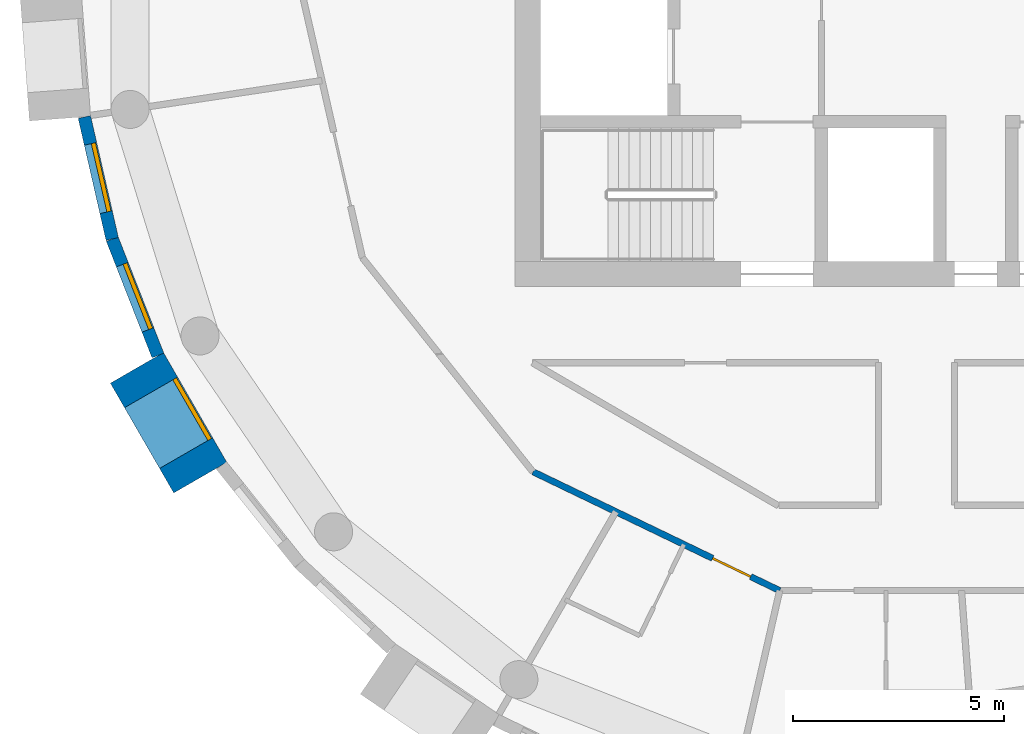
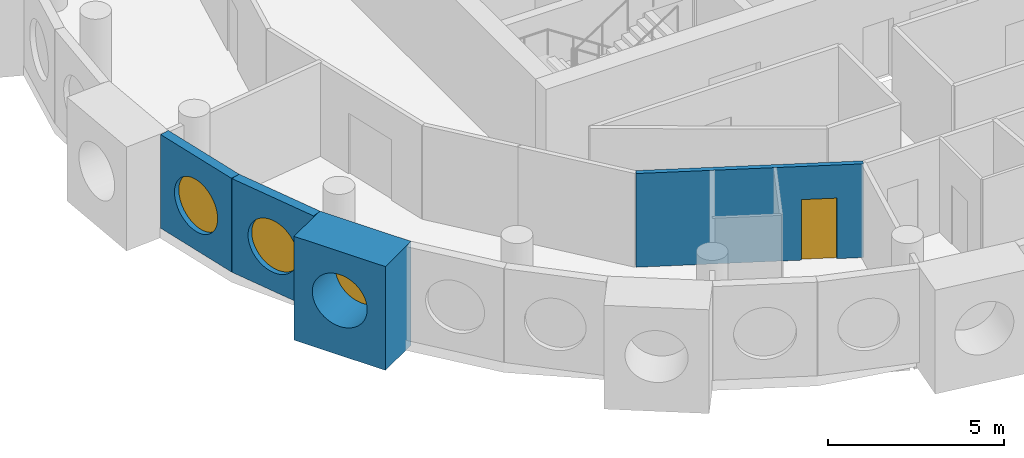
# One storey, part 2 of 13: 4 walls, 3 windows, 1 door, 4 openings.
"""IFC4 building model written with IfcOpenShell, lengths in metres."""

from ifc_helpers import new_model, si_unit, direction, frame, frame_2d, origin, origin_2d, place, context, subcontext, project, spatial, rectangle, circle, extrude, material, layer, layer_set, type_object, element, fill, save


model = new_model("IFC4")

# Units and contexts
model_context = context("Model", 3, precision=1e-05, world=origin(), true_north=direction((0.0, 1.0)))
body_context = subcontext(model_context, "Body", "Model", "MODEL_VIEW")
ifc_project = project(units=[si_unit("LENGTHUNIT", "METRE"), si_unit("AREAUNIT", "SQUARE_METRE"), si_unit("VOLUMEUNIT", "CUBIC_METRE"), si_unit("PLANEANGLEUNIT", "RADIAN"), si_unit("MASSUNIT", "GRAM", prefix="KILO")], contexts=[model_context])

# Site, building, storey
site_placement = place(None, origin())
site = spatial("IfcSite", under=ifc_project, at=site_placement, CompositionType="ELEMENT")
building_placement = place(site_placement, origin())
building = spatial("IfcBuilding", under=site, at=building_placement, Name="Tracery Tower", CompositionType="ELEMENT")
storey_placement = place(building_placement, frame((0.0, 0.0, 316.199951171875)))
storey = spatial("IfcBuildingStorey", under=building, at=storey_placement, Name="L82", CompositionType="ELEMENT", Elevation=316.199951171875)

# Wall, opening, window
ifc_material_1 = material(Name="Precast concrete C50/60", Category="concrete")
ifc_layer_1 = layer(ifc_material_1, 1.449951171875)
ifc_layer_set_1 = layer_set([ifc_layer_1], Name="Deep-set bay unit 3000 x 3600, slab edge 350")
wall_type_1 = type_object("IfcWallType", Name="Deep-set bay unit 3000 x 3600, slab edge 350", PredefinedType="ELEMENTEDWALL", material=ifc_layer_set_1)
wall_1_placement = place(storey_placement, frame((-18.452392578125, -8.92138671875, -0.349853515625), z_axis=(0.0, 0.0, 1.0), x_axis=(0.499990139034, -0.866031096941, 0.0)))
wall_1 = element("IfcWall", 1, at=wall_1_placement, inside=storey, type_object=wall_type_1, Name="Deep-set bay unit 25 at L82", PredefinedType="ELEMENTEDWALL", context=body_context, shape_type="SweptSolid", body=[
    extrude(rectangle(XDim=3.0, YDim=1.449951171875, at=frame_2d((1.5, 0.0))), origin(), (0.0, 0.0, 1.0), 3.599853515625),
])
opening_1_placement = place(wall_1_placement, frame((1.5, 0.0, 1.89990234375)))
opening_1 = element("IfcOpeningElement", 2, at=opening_1_placement, cuts=wall_1, Name="Opening WN1", PredefinedType="OPENING", context=body_context, shape_type="SweptSolid", body=[
    extrude(circle(Radius=0.9000244140625, at=origin_2d()), frame((0.0, 0.73486328125, 0.0), z_axis=(0.0, -1.0, 0.0), x_axis=(1.0, 0.0, 0.0)), (0.0, 0.0, 1.0), 1.469970703125),
])
ifc_material_2 = material(Name="Aluminium frame with tinted double glazing", Category="aluminium")
window_type = type_object("IfcWindowType", Name="Round window 1800", PartitioningType="SINGLE_PANEL", PredefinedType="WINDOW", material=ifc_material_2)
window_1_placement = place(opening_1_placement, origin())
window_1 = element("IfcWindow", 3, at=window_1_placement, inside=storey, type_object=window_type, Name="Round window 25 at L82", OverallHeight=1.800048828125, OverallWidth=1.800048828125, PartitioningType="SINGLE_PANEL", PredefinedType="WINDOW", context=body_context, shape_type="SweptSolid", body=[
    extrude(circle(Radius=0.9000244140625, at=origin_2d()), frame((0.0, 0.69482421875, 0.0), z_axis=(0.0, -1.0, 0.0), x_axis=(1.0, 0.0, 0.0)), (0.0, 0.0, 1.0), 0.10009765625),
])
fill(opening_1, window_1)

ifc_material_3 = material(Name="Precast concrete C50/60", Category="concrete")
ifc_layer_2 = layer(ifc_material_3, 0.300048828125)
ifc_layer_set_2 = layer_set([ifc_layer_2], Name="Facade panel 3000 x 3250")
wall_type_2 = type_object("IfcWallType", Name="Facade panel 3000 x 3250", PredefinedType="SOLIDWALL", material=ifc_layer_set_2)
wall_2_placement = place(storey_placement, frame((-19.69580078125, -2.984130859375, 0.0), z_axis=(0.0, 0.0, 1.0), x_axis=(0.222529389789, -0.974925982155, 0.0)))
wall_2 = element("IfcWall", 4, at=wall_2_placement, inside=storey, type_object=wall_type_2, Name="Facade panel 23 at L82", PredefinedType="SOLIDWALL", context=body_context, shape_type="SweptSolid", body=[
    extrude(rectangle(XDim=2.962158203125, YDim=0.300048828125, at=frame_2d((1.48095703125, 0.0))), origin(), (0.0, 0.0, 1.0), 3.25),
])
opening_2_placement = place(wall_2_placement, frame((1.48095703125, 0.0, 1.5498046875)))
opening_2 = element("IfcOpeningElement", 5, at=opening_2_placement, cuts=wall_2, Name="Opening WN1", PredefinedType="OPENING", context=body_context, shape_type="SweptSolid", body=[
    extrude(circle(Radius=0.9000244140625, at=origin_2d()), frame((0.0, 0.159912109375, 0.0), z_axis=(0.0, -1.0, 0.0), x_axis=(1.0, 0.0, 0.0)), (0.0, 0.0, 1.0), 0.320068359375),
])
window_2_placement = place(opening_2_placement, origin())
window_2 = element("IfcWindow", 6, at=window_2_placement, inside=storey, type_object=window_type, Name="Round window 23 at L82", OverallHeight=1.800048828125, OverallWidth=1.800048828125, PartitioningType="SINGLE_PANEL", PredefinedType="WINDOW", context=body_context, shape_type="SweptSolid", body=[
    extrude(circle(Radius=0.9000244140625, at=origin_2d()), frame((0.0, 0.1201171875, 0.0), z_axis=(0.0, -1.0, 0.0), x_axis=(1.0, 0.0, 0.0)), (0.0, 0.0, 1.0), 0.10009765625),
])
fill(opening_2, window_2)

wall_3_placement = place(storey_placement, frame((-19.03662109375, -5.8720703125, 0.0), z_axis=(0.0, 0.0, 1.0), x_axis=(0.36530043032, -0.930889679612, 0.0)))
wall_3 = element("IfcWall", 7, at=wall_3_placement, inside=storey, type_object=wall_type_2, Name="Facade panel 24 at L82", PredefinedType="SOLIDWALL", context=body_context, shape_type="SweptSolid", body=[
    extrude(rectangle(XDim=2.9619140625, YDim=0.300048828125, at=frame_2d((1.48095703125, 0.0))), origin(), (0.0, 0.0, 1.0), 3.25),
])
opening_3_placement = place(wall_3_placement, frame((1.48095703125, 0.0, 1.5498046875)))
opening_3 = element("IfcOpeningElement", 8, at=opening_3_placement, cuts=wall_3, Name="Opening WN1", PredefinedType="OPENING", context=body_context, shape_type="SweptSolid", body=[
    extrude(circle(Radius=0.9000244140625, at=origin_2d()), frame((0.0, 0.159912109375, 0.0), z_axis=(0.0, -1.0, 0.0), x_axis=(1.0, 0.0, 0.0)), (0.0, 0.0, 1.0), 0.320068359375),
])
window_3_placement = place(opening_3_placement, origin())
window_3 = element("IfcWindow", 9, at=window_3_placement, inside=storey, type_object=window_type, Name="Round window 24 at L82", OverallHeight=1.800048828125, OverallWidth=1.800048828125, PartitioningType="SINGLE_PANEL", PredefinedType="WINDOW", context=body_context, shape_type="SweptSolid", body=[
    extrude(circle(Radius=0.9000244140625, at=origin_2d()), frame((0.0, 0.1201171875, 0.0), z_axis=(0.0, -1.0, 0.0), x_axis=(1.0, 0.0, 0.0)), (0.0, 0.0, 1.0), 0.10009765625),
])
fill(opening_3, window_3)

# Wall, opening, door
ifc_material_4 = material(Name="Plasterboard on steel studs", Category="steel")
ifc_layer_3 = layer(ifc_material_4, 0.14990234375)
ifc_layer_set_3 = layer_set([ifc_layer_3], Name="Partition 150 corridor wall")
wall_type_3 = type_object("IfcWallType", Name="Partition 150 corridor wall", PredefinedType="PARTITIONING", material=ifc_layer_set_3)
wall_4_placement = place(storey_placement, frame((-9.075927734375, -11.381103515625, 0.0), z_axis=(0.0, 0.0, 1.0), x_axis=(0.900851590682, -0.434127183629, 0.0)))
wall_4 = element("IfcWall", 10, at=wall_4_placement, inside=storey, type_object=wall_type_3, Name="Corridor wall RC9-039", PredefinedType="PARTITIONING", context=body_context, shape_type="SweptSolid", body=[
    extrude(rectangle(XDim=6.478515625, YDim=0.14990234375, at=frame_2d((3.2392578125, 0.0))), origin(), (0.0, 0.0, 1.0), 3.25),
])
opening_4_placement = place(wall_4_placement, frame((4.718505859375, 0.0, 0.0)))
opening_4 = element("IfcOpeningElement", 11, at=opening_4_placement, cuts=wall_4, Name="Opening RC9-16", PredefinedType="OPENING", context=body_context, shape_type="SweptSolid", body=[
    extrude(rectangle(XDim=1.0, YDim=2.10009765625, at=frame_2d((0.5, 1.050048828125))), frame((0.0, 0.074951171875, 0.0), z_axis=(0.0, -1.0, 0.0), x_axis=(1.0, 0.0, 0.0)), (0.0, 0.0, 1.0), 0.14990234375),
])
ifc_material_5 = material(Name="Timber door leaf", Category="wood")
door_type = type_object("IfcDoorType", Name="Door unit entrance 1000", OperationType="NOTDEFINED", PredefinedType="DOOR", material=ifc_material_5)
door_placement = place(opening_4_placement, origin())
door = element("IfcDoor", 12, at=door_placement, inside=storey, type_object=door_type, Name="Unit entrance door RC9-16", OperationType="SINGLE_SWING_LEFT", OverallHeight=2.10009765625, OverallWidth=1.0, PredefinedType="DOOR", context=body_context, shape_type="SweptSolid", body=[
    extrude(rectangle(XDim=1.0, YDim=2.10009765625, at=frame_2d((0.5, 1.050048828125))), frame((0.0, 0.02490234375, 0.0), z_axis=(0.0, -1.0, 0.0), x_axis=(1.0, 0.0, 0.0)), (0.0, 0.0, 1.0), 0.050048828125),
])
fill(opening_4, door)

save(model, "model.ifc")
